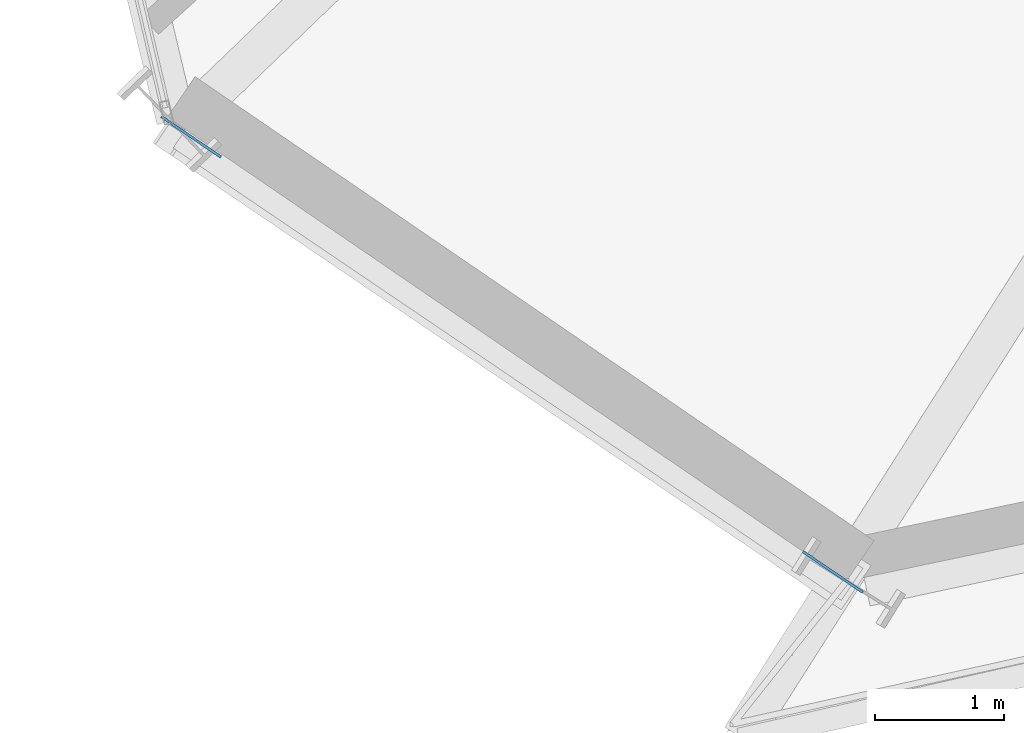
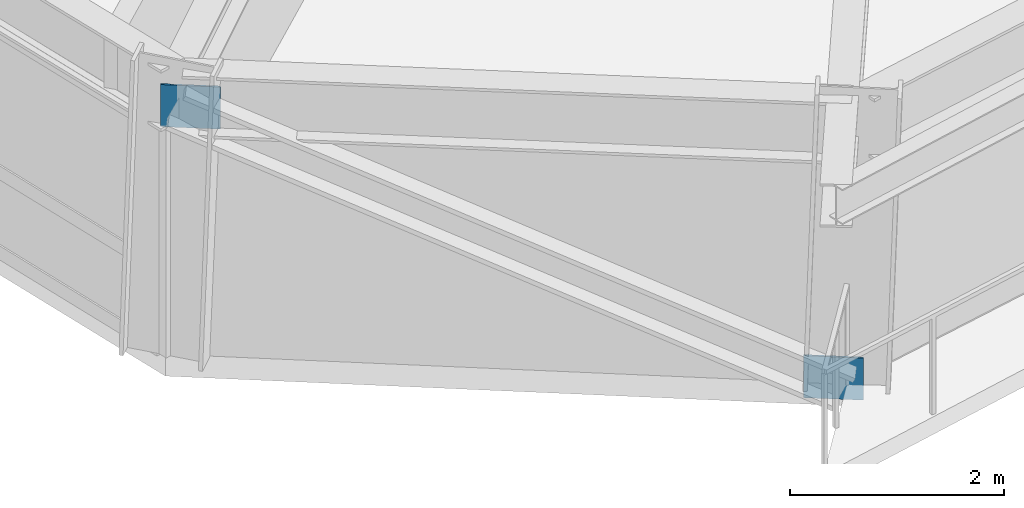
# One storey, part 15 of 24: 2 plates.
"""IFC4 building model written with IfcOpenShell, lengths in metres."""

from ifc_helpers import new_model, si_unit, direction, frame, origin, origin_2d, place, context, subcontext, project, spatial, rectangle, extrude, source, transform, mapped, material, type_object, element, save


model = new_model("IFC4")

# Units and contexts
model_context = context("Model", 3, precision=1e-05, world=origin(), true_north=direction((0.0, 1.0)))
body_context = subcontext(model_context, "Body", "Model", "MODEL_VIEW")
ifc_project = project(units=[si_unit("LENGTHUNIT", "METRE"), si_unit("AREAUNIT", "SQUARE_METRE"), si_unit("VOLUMEUNIT", "CUBIC_METRE"), si_unit("PLANEANGLEUNIT", "RADIAN"), si_unit("MASSUNIT", "GRAM", prefix="KILO")], contexts=[model_context])

# Site, building, storey
site_placement = place(None, origin())
site = spatial("IfcSite", under=ifc_project, at=site_placement, CompositionType="ELEMENT")
building_placement = place(site_placement, origin())
building = spatial("IfcBuilding", under=site, at=building_placement, Name="Olszyna Solenne Hotel", CompositionType="ELEMENT")
storey_placement = place(building_placement, frame((0.0, 0.0, 36.39990234375)))
storey = spatial("IfcBuildingStorey", under=building, at=storey_placement, Name="L08", CompositionType="ELEMENT", Elevation=36.39990234375)

# Plates
ifc_material = material(Name="Steel S355J2", Category="steel")
plate_type = type_object("IfcPlateType", Name="GP-ND2", PredefinedType="USERDEFINED", material=ifc_material)
shared_shape = source(origin(), body_context, "Body", "SweptSolid", [
    extrude(rectangle(XDim=0.56005859375, YDim=0.02001953125, at=origin_2d()), origin(), (0.0, 0.0, 1.0), 0.47998046875),
])
for number, where, z_axis, x_axis, name in (
    (1, (24.37451171875, 5.1328125, -0.171142578125), (0.0, 0.0, 1.0), (-0.827668733006, 0.561216953062, 0.0), "Brace end connection gusset plate GP-ND2 EP-BR-L08-3-1"),
    (2, (19.389404296875, 8.5126953125, 2.6162109375), (0.0, 0.0, 1.0), (-0.827668733006, 0.561216953062, 0.0), "Brace end connection gusset plate GP-ND2 EP-BR-L08-3-2"),
):
    element("IfcPlate", number, at=place(storey_placement, frame(where, z_axis=z_axis, x_axis=x_axis)), inside=storey, type_object=plate_type, Name=name, ObjectType="GUSSET_PLATE", PredefinedType="USERDEFINED", context=body_context, shape_type="MappedRepresentation", body=[
        mapped(shared_shape, transform((0.0, 0.0, 0.0), x_axis=(1.0, 0.0, 0.0), y_axis=(0.0, 1.0, 0.0), z_axis=(0.0, 0.0, 1.0), scale=1.0)),
    ])

save(model, "model.ifc")
